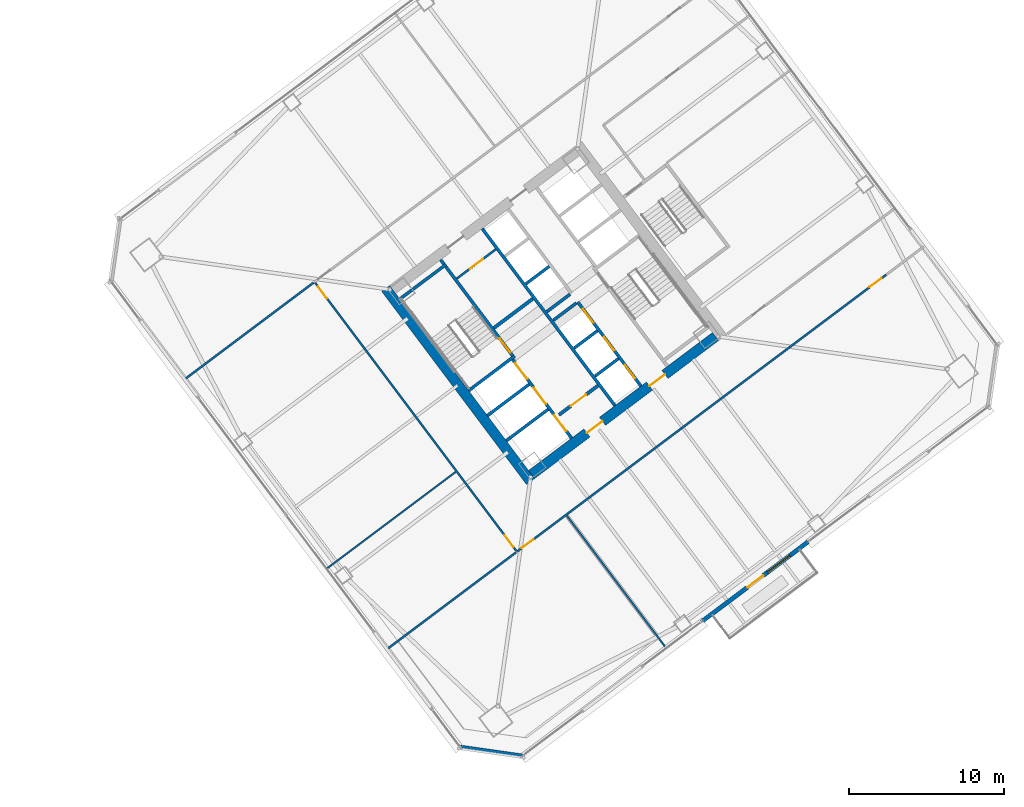
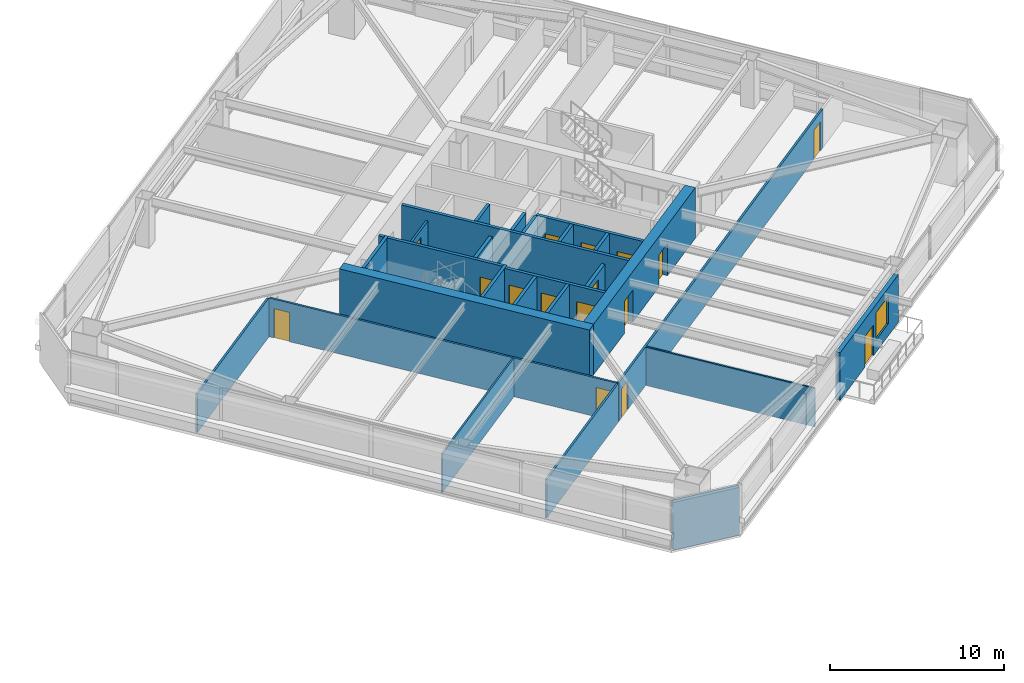
# One storey, part 41 of 51: 26 walls, 16 doors, 1 window, 17 openings.
"""IFC4 building model written with IfcOpenShell, lengths in metres."""

from ifc_helpers import new_model, si_unit, direction, frame, frame_2d, origin, place, context, subcontext, project, spatial, rectangle, extrude, material, layer, layer_set, type_object, element, fill, save


model = new_model("IFC4")

# Units and contexts
model_context = context("Model", 3, precision=1e-05, world=origin(), true_north=direction((0.0, 1.0)))
body_context = subcontext(model_context, "Body", "Model", "MODEL_VIEW")
ifc_project = project(units=[si_unit("LENGTHUNIT", "METRE"), si_unit("AREAUNIT", "SQUARE_METRE"), si_unit("VOLUMEUNIT", "CUBIC_METRE"), si_unit("PLANEANGLEUNIT", "RADIAN"), si_unit("MASSUNIT", "GRAM", prefix="KILO")], contexts=[model_context])

# Site, building, storey
site_placement = place(None, origin())
site = spatial("IfcSite", under=ifc_project, at=site_placement, CompositionType="ELEMENT")
building_placement = place(site_placement, origin())
building = spatial("IfcBuilding", under=site, at=building_placement, Name="Tashvorn Skyway Center", CompositionType="ELEMENT")
storey_placement = place(building_placement, frame((0.0, 0.0, 49.449951171875)))
storey = spatial("IfcBuildingStorey", under=building, at=storey_placement, Name="L12", CompositionType="ELEMENT", Elevation=49.449951171875)

# Wall
ifc_material_1 = material(Name="Concrete C60/75", Category="concrete")
ifc_layer_1 = layer(ifc_material_1, 0.64990234375)
ifc_layer_set_1 = layer_set([ifc_layer_1], Name="Concrete C60/75")
wall_type_1 = type_object("IfcWallType", Name="WALL-CORE-650", PredefinedType="SHEAR", material=ifc_layer_set_1)
wall_1_placement = place(storey_placement, frame((112.47607421875, 21.10693359375, 0.0), z_axis=(0.0, 0.0, 1.0), x_axis=(-0.600005007985, 0.799996243986, 0.0)))
element("IfcWall", 1, at=wall_1_placement, inside=storey, type_object=wall_type_1, Name="Tower 2 L12 West Core Shear Wall", PredefinedType="SHEAR", context=body_context, shape_type="SweptSolid", body=[
    extrude(rectangle(XDim=15.60009765625, YDim=0.64990234375, at=frame_2d((7.800048828125, 0.0))), origin(), (0.0, 0.0, 1.0), 3.550048828125),
])

# Wall, openings, doors
wall_2_placement = place(storey_placement, frame((124.428955078125, 30.47802734375, 0.0), z_axis=(0.0, 0.0, 1.0), x_axis=(-0.799998028465, -0.600002628705, 0.0)))
wall_2 = element("IfcWall", 2, at=wall_2_placement, inside=storey, type_object=wall_type_1, Name="Tower 2 L12 South Core Shear Wall", PredefinedType="SHEAR", context=body_context, shape_type="SweptSolid", body=[
    extrude(rectangle(XDim=14.85986328125, YDim=0.64990234375, at=frame_2d((7.429931640625, 0.0))), origin(), (0.0, 0.0, 1.0), 3.550048828125),
])
opening_1_placement = place(wall_2_placement, frame((9.1298828125, 0.0, 0.0)))
opening_1 = element("IfcOpeningElement", 3, at=opening_1_placement, cuts=wall_2, Name="Opening D-FFL-1250", PredefinedType="OPENING", context=body_context, shape_type="SweptSolid", body=[
    extrude(rectangle(XDim=1.25, YDim=2.25, at=frame_2d((0.625, 1.125))), frame((0.0, 0.3349609375, 0.0), z_axis=(0.0, -1.0, 0.0), x_axis=(1.0, 0.0, 0.0)), (0.0, 0.0, 1.0), 0.669921875),
])
opening_2_placement = place(wall_2_placement, frame((4.080078125, 0.0, 0.0)))
opening_2 = element("IfcOpeningElement", 4, at=opening_2_placement, cuts=wall_2, Name="Opening D-FFL-1250", PredefinedType="OPENING", context=body_context, shape_type="SweptSolid", body=[
    extrude(rectangle(XDim=1.25, YDim=2.25, at=frame_2d((0.625, 1.125))), frame((0.0, 0.3349609375, 0.0), z_axis=(0.0, -1.0, 0.0), x_axis=(1.0, 0.0, 0.0)), (0.0, 0.0, 1.0), 0.669921875),
])
ifc_material_2 = material(Name="Hollow galvanized steel fire door assembly", Category="steel")
door_type_1 = type_object("IfcDoorType", Name="DOOR-FFL-1250", OperationType="NOTDEFINED", PredefinedType="DOOR", material=ifc_material_2)
door_1_placement = place(opening_1_placement, origin())
door_1 = element("IfcDoor", 5, at=door_1_placement, inside=storey, type_object=door_type_1, Name="Tower 2 L12 Core South Firefighting Exit Door", OperationType="SINGLE_SWING_LEFT", OverallHeight=2.25, OverallWidth=1.25, PredefinedType="DOOR", context=body_context, shape_type="SweptSolid", body=[
    extrude(rectangle(XDim=1.25, YDim=2.25, at=frame_2d((0.625, 1.125))), frame((0.0, 0.02490234375, 0.0), z_axis=(0.0, -1.0, 0.0), x_axis=(1.0, 0.0, 0.0)), (0.0, 0.0, 1.0), 0.050048828125),
])
fill(opening_1, door_1)
door_2_placement = place(opening_2_placement, origin())
door_2 = element("IfcDoor", 6, at=door_2_placement, inside=storey, type_object=door_type_1, Name="Tower 2 L12 Core South Lift Lobby Door", OperationType="SINGLE_SWING_RIGHT", OverallHeight=2.25, OverallWidth=1.25, PredefinedType="DOOR", context=body_context, shape_type="SweptSolid", body=[
    extrude(rectangle(XDim=1.25, YDim=2.25, at=frame_2d((0.625, 1.125))), frame((0.0, 0.02490234375, 0.0), z_axis=(0.0, -1.0, 0.0), x_axis=(1.0, 0.0, 0.0)), (0.0, 0.0, 1.0), 0.050048828125),
])
fill(opening_2, door_2)

# Wall, openings, door, window
ifc_material_3 = material(Name="Precast concrete C40/50", Category="concrete")
ifc_layer_2 = layer(ifc_material_3, 0.280029296875)
ifc_layer_set_2 = layer_set([ifc_layer_2], Name="Precast concrete C40/50")
wall_type_2 = type_object("IfcWallType", Name="WALL-EXT-280", PredefinedType="SOLIDWALL", material=ifc_layer_set_2)
wall_3_placement = place(storey_placement, frame((130.407958984375, 17.2060546875, 0.0), z_axis=(0.0, 0.0, 1.0), x_axis=(-0.799996553335, -0.600004595526, 0.0)))
wall_3 = element("IfcWall", 7, at=wall_3_placement, inside=storey, type_object=wall_type_2, Name="Tower 2 L12 South Terrace Portal Wall", PredefinedType="SOLIDWALL", context=body_context, shape_type="SweptSolid", body=[
    extrude(rectangle(XDim=8.5, YDim=0.280029296875, at=frame_2d((4.25, 0.0))), origin(), (0.0, 0.0, 1.0), 3.35009765625),
])
opening_3_placement = place(wall_3_placement, frame((3.60009765625, 0.0, 0.0)))
opening_3 = element("IfcOpeningElement", 8, at=opening_3_placement, cuts=wall_3, Name="Opening D-TER-1300", PredefinedType="OPENING", context=body_context, shape_type="SweptSolid", body=[
    extrude(rectangle(XDim=1.300048828125, YDim=2.14990234375, at=frame_2d((0.64990234375, 1.074951171875))), frame((0.0, 0.14990234375, 0.0), z_axis=(0.0, -1.0, 0.0), x_axis=(1.0, 0.0, 0.0)), (0.0, 0.0, 1.0), 0.300048828125),
])
opening_4_placement = place(wall_3_placement, frame((1.4599609375, 0.0, 0.85009765625)))
opening_4 = element("IfcOpeningElement", 9, at=opening_4_placement, cuts=wall_3, Name="Opening WIN-1800", PredefinedType="OPENING", context=body_context, shape_type="SweptSolid", body=[
    extrude(rectangle(XDim=1.800048828125, YDim=1.919921875, at=frame_2d((0.89990234375, 0.9599609375))), frame((0.0, 0.14990234375, 0.0), z_axis=(0.0, -1.0, 0.0), x_axis=(1.0, 0.0, 0.0)), (0.0, 0.0, 1.0), 0.300048828125),
])
ifc_material_4 = material(Name="Thermally broken bronze-anodized aluminium 6063-T6", Category="aluminium")
door_type_2 = type_object("IfcDoorType", Name="DOOR-TERR-1300", OperationType="NOTDEFINED", PredefinedType="DOOR", material=ifc_material_4)
door_3_placement = place(opening_3_placement, origin())
door_3 = element("IfcDoor", 10, at=door_3_placement, inside=storey, type_object=door_type_2, Name="Tower 2 L12 Terrace Access Door", OperationType="SINGLE_SWING_LEFT", OverallHeight=2.14990234375, OverallWidth=1.300048828125, PredefinedType="DOOR", context=body_context, shape_type="SweptSolid", body=[
    extrude(rectangle(XDim=1.300048828125, YDim=2.14990234375, at=frame_2d((0.64990234375, 1.074951171875))), frame((0.0, 0.02490234375, 0.0), z_axis=(0.0, -1.0, 0.0), x_axis=(1.0, 0.0, 0.0)), (0.0, 0.0, 1.0), 0.050048828125),
])
fill(opening_3, door_3)
ifc_material_5 = material(Name="Low-E solar-control double insulating safety glass", Category="glass")
window_type = type_object("IfcWindowType", Name="WIN-TERR-1800", PartitioningType="SINGLE_PANEL", PredefinedType="WINDOW", material=ifc_material_5)
window_placement = place(opening_4_placement, origin())
window = element("IfcWindow", 11, at=window_placement, inside=storey, type_object=window_type, Name="Tower 2 L12 Terrace Window", OverallHeight=1.919921875, OverallWidth=1.800048828125, PartitioningType="SINGLE_PANEL", PredefinedType="WINDOW", context=body_context, shape_type="SweptSolid", body=[
    extrude(rectangle(XDim=1.800048828125, YDim=1.919921875, at=frame_2d((0.89990234375, 0.9599609375))), frame((0.0, 0.030029296875, 0.0), z_axis=(0.0, -1.0, 0.0), x_axis=(1.0, 0.0, 0.0)), (0.0, 0.0, 1.0), 0.06005859375),
])
fill(opening_4, window)

# Walls
wall_4_placement = place(storey_placement, frame((111.97998046875, 3.360107421875, 0.0), z_axis=(0.0, 0.0, 1.0), x_axis=(-0.989955445613, 0.14137968631, 0.0)))
element("IfcWall", 12, at=wall_4_placement, inside=storey, type_object=wall_type_2, Name="Tower 2 L12 SW Precast Chamfer Wall", PredefinedType="SOLIDWALL", context=body_context, shape_type="SweptSolid", body=[
    extrude(rectangle(XDim=4.101318359375, YDim=0.280029296875, at=frame_2d((2.05078125, 0.0))), origin(), (0.0, 0.0, 1.0), 3.35009765625),
])
ifc_material_6 = material(Name="Concrete C40/50", Category="concrete")
ifc_layer_3 = layer(ifc_material_6, 0.219970703125)
ifc_layer_set_3 = layer_set([ifc_layer_3], Name="Concrete C40/50")
wall_type_3 = type_object("IfcWallType", Name="WALL-FFL-220", PredefinedType="SOLIDWALL", material=ifc_layer_set_3)
wall_5_placement = place(storey_placement, frame((110.10400390625, 31.028076171875, 0.0), z_axis=(0.0, 0.0, 1.0), x_axis=(0.800018601094, 0.59997519774, 0.0)))
element("IfcWall", 13, at=wall_5_placement, inside=storey, type_object=wall_type_3, Name="Tower 2 L12 Firefighting Lobby North Wall", PredefinedType="SOLIDWALL", context=body_context, shape_type="SweptSolid", body=[
    extrude(rectangle(XDim=3.14990234375, YDim=0.219970703125, at=frame_2d((1.574951171875, 0.0))), origin(), (0.0, 0.0, 1.0), 2.703125),
])

# Wall, opening, door
wall_6_placement = place(storey_placement, frame((114.31591796875, 25.412109375, 0.0), z_axis=(0.0, 0.0, 1.0), x_axis=(0.800018601094, 0.59997519774, 0.0)))
wall_6 = element("IfcWall", 14, at=wall_6_placement, inside=storey, type_object=wall_type_3, Name="Tower 2 L12 Firefighting Lobby South Wall", PredefinedType="SOLIDWALL", context=body_context, shape_type="SweptSolid", body=[
    extrude(rectangle(XDim=3.14990234375, YDim=0.219970703125, at=frame_2d((1.574951171875, 0.0))), origin(), (0.0, 0.0, 1.0), 2.703125),
])
opening_5_placement = place(wall_6_placement, frame((0.949951171875, 0.0, 0.0)))
opening_5 = element("IfcOpeningElement", 15, at=opening_5_placement, cuts=wall_6, Name="Opening D-FFL-1250", PredefinedType="OPENING", context=body_context, shape_type="SweptSolid", body=[
    extrude(rectangle(XDim=1.25, YDim=2.25, at=frame_2d((0.625, 1.125))), frame((0.0, 0.119873046875, 0.0), z_axis=(0.0, -1.0, 0.0), x_axis=(1.0, 0.0, 0.0)), (0.0, 0.0, 1.0), 0.239990234375),
])
door_4_placement = place(opening_5_placement, origin())
door_4 = element("IfcDoor", 16, at=door_4_placement, inside=storey, type_object=door_type_1, Name="Tower 2 L12 Firefighting Lobby Egress Door", OperationType="SINGLE_SWING_LEFT", OverallHeight=2.25, OverallWidth=1.25, PredefinedType="DOOR", context=body_context, shape_type="SweptSolid", body=[
    extrude(rectangle(XDim=1.25, YDim=2.25, at=frame_2d((0.625, 1.125))), frame((0.0, 0.02490234375, 0.0), z_axis=(0.0, -1.0, 0.0), x_axis=(1.0, 0.0, 0.0)), (0.0, 0.0, 1.0), 0.050048828125),
])
fill(opening_5, door_4)

# Walls
ifc_material_7 = material(Name="Gypsum board on cold-formed steel stud framing", Category="steel")
ifc_layer_4 = layer(ifc_material_7, 0.110107421875)
ifc_layer_set_4 = layer_set([ifc_layer_4], Name="Gypsum board on cold-formed steel stud framing")
wall_type_4 = type_object("IfcWallType", Name="WALL-PART-110", PredefinedType="PARTITIONING", material=ifc_layer_set_4)
wall_7_placement = place(storey_placement, frame((121.157958984375, 10.4560546875, 0.0), z_axis=(0.0, 0.0, 1.0), x_axis=(-0.600007405188, 0.799994446056, 0.0)))
element("IfcWall", 17, at=wall_7_placement, inside=storey, type_object=wall_type_4, Name="Tower 2 L12 South Suite Partition 1", PredefinedType="PARTITIONING", context=body_context, shape_type="SweptSolid", body=[
    extrude(rectangle(XDim=10.550048828125, YDim=0.110107421875, at=frame_2d((5.27490234375, 0.0))), origin(), (0.0, 0.0, 1.0), 2.703125),
])
wall_8_placement = place(storey_placement, frame((99.2958984375, 15.471923828125, 0.0), z_axis=(0.0, 0.0, 1.0), x_axis=(0.799997188462, 0.600003748699, 0.0)))
element("IfcWall", 18, at=wall_8_placement, inside=storey, type_object=wall_type_4, Name="Tower 2 L12 West Suite Partition 1", PredefinedType="PARTITIONING", context=body_context, shape_type="SweptSolid", body=[
    extrude(rectangle(XDim=10.420166015625, YDim=0.110107421875, at=frame_2d((5.2099609375, 0.0))), origin(), (0.0, 0.0, 1.0), 2.703125),
])

# Wall, openings, doors
ifc_layer_5 = layer(ifc_material_7, 0.135009765625)
ifc_layer_set_5 = layer_set([ifc_layer_5], Name="Gypsum board on cold-formed steel stud framing")
wall_type_5 = type_object("IfcWallType", Name="WALL-PART-135", PredefinedType="PARTITIONING", material=ifc_layer_set_5)
wall_9_placement = place(storey_placement, frame((135.4599609375, 34.469970703125, 0.0), z_axis=(0.0, 0.0, 1.0), x_axis=(-0.800000982127, -0.599998690494, 0.0)))
wall_9 = element("IfcWall", 19, at=wall_9_placement, inside=storey, type_object=wall_type_5, Name="Tower 2 L12 South Suite Wall", PredefinedType="PARTITIONING", context=body_context, shape_type="SweptSolid", body=[
    extrude(rectangle(XDim=29.830078125, YDim=0.135009765625, at=frame_2d((14.9150390625, 0.0))), origin(), (0.0, 0.0, 1.0), 2.703125),
])
opening_6_placement = place(wall_9_placement, frame((28.5, 0.0, 0.0)))
opening_6 = element("IfcOpeningElement", 20, at=opening_6_placement, cuts=wall_9, Name="Opening D-INT-950", PredefinedType="OPENING", context=body_context, shape_type="SweptSolid", body=[
    extrude(rectangle(XDim=0.949951171875, YDim=2.050048828125, at=frame_2d((0.47509765625, 1.02490234375))), frame((0.0, 0.077392578125, 0.0), z_axis=(0.0, -1.0, 0.0), x_axis=(1.0, 0.0, 0.0)), (0.0, 0.0, 1.0), 0.155029296875),
])
opening_7_placement = place(wall_9_placement, frame((0.3798828125, 0.0, 0.0)))
opening_7 = element("IfcOpeningElement", 21, at=opening_7_placement, cuts=wall_9, Name="Opening D-INT-950", PredefinedType="OPENING", context=body_context, shape_type="SweptSolid", body=[
    extrude(rectangle(XDim=0.949951171875, YDim=2.050048828125, at=frame_2d((0.47509765625, 1.02490234375))), frame((0.0, 0.077392578125, 0.0), z_axis=(0.0, -1.0, 0.0), x_axis=(1.0, 0.0, 0.0)), (0.0, 0.0, 1.0), 0.155029296875),
])
ifc_material_8 = material(Name="Solid-core architectural oak veneer door")
door_type_3 = type_object("IfcDoorType", Name="DOOR-INT-950", OperationType="NOTDEFINED", PredefinedType="DOOR", material=ifc_material_8)
door_5_placement = place(opening_6_placement, origin())
door_5 = element("IfcDoor", 22, at=door_5_placement, inside=storey, type_object=door_type_3, Name="Tower 2 L12 Wellness Clinic Door", OperationType="SINGLE_SWING_RIGHT", OverallHeight=2.050048828125, OverallWidth=0.949951171875, PredefinedType="DOOR", context=body_context, shape_type="SweptSolid", body=[
    extrude(rectangle(XDim=0.949951171875, YDim=2.050048828125, at=frame_2d((0.47509765625, 1.02490234375))), frame((0.0, 0.02490234375, 0.0), z_axis=(0.0, -1.0, 0.0), x_axis=(1.0, 0.0, 0.0)), (0.0, 0.0, 1.0), 0.050048828125),
])
fill(opening_6, door_5)
door_6_placement = place(opening_7_placement, origin())
door_6 = element("IfcDoor", 23, at=door_6_placement, inside=storey, type_object=door_type_3, Name="Tower 2 L12 Security Control Room Door", OperationType="SINGLE_SWING_LEFT", OverallHeight=2.050048828125, OverallWidth=0.949951171875, PredefinedType="DOOR", context=body_context, shape_type="SweptSolid", body=[
    extrude(rectangle(XDim=0.949951171875, YDim=2.050048828125, at=frame_2d((0.47509765625, 1.02490234375))), frame((0.0, 0.02490234375, 0.0), z_axis=(0.0, -1.0, 0.0), x_axis=(1.0, 0.0, 0.0)), (0.0, 0.0, 1.0), 0.050048828125),
])
fill(opening_7, door_6)

wall_10_placement = place(storey_placement, frame((111.548095703125, 16.635986328125, 0.0), z_axis=(0.0, 0.0, 1.0), x_axis=(-0.600003610192, 0.799997292343, 0.0)))
wall_10 = element("IfcWall", 24, at=wall_10_placement, inside=storey, type_object=wall_type_5, Name="Tower 2 L12 West Inner Suite Wall", PredefinedType="PARTITIONING", context=body_context, shape_type="SweptSolid", body=[
    extrude(rectangle(XDim=21.64013671875, YDim=0.135009765625, at=frame_2d((10.820068359375, 0.0))), origin(), (0.0, 0.0, 1.0), 2.703125),
])
opening_8_placement = place(wall_10_placement, frame((0.300048828125, 0.0, 0.0)))
opening_8 = element("IfcOpeningElement", 25, at=opening_8_placement, cuts=wall_10, Name="Opening D-INT-950", PredefinedType="OPENING", context=body_context, shape_type="SweptSolid", body=[
    extrude(rectangle(XDim=0.949951171875, YDim=2.050048828125, at=frame_2d((0.47509765625, 1.02490234375))), frame((0.0, 0.077392578125, 0.0), z_axis=(0.0, -1.0, 0.0), x_axis=(1.0, 0.0, 0.0)), (0.0, 0.0, 1.0), 0.155029296875),
])
opening_9_placement = place(wall_10_placement, frame((20.389892578125, 0.0, 0.0)))
opening_9 = element("IfcOpeningElement", 26, at=opening_9_placement, cuts=wall_10, Name="Opening D-INT-950", PredefinedType="OPENING", context=body_context, shape_type="SweptSolid", body=[
    extrude(rectangle(XDim=0.949951171875, YDim=2.050048828125, at=frame_2d((0.47509765625, 1.02490234375))), frame((0.0, 0.077392578125, 0.0), z_axis=(0.0, -1.0, 0.0), x_axis=(1.0, 0.0, 0.0)), (0.0, 0.0, 1.0), 0.155029296875),
])
door_7_placement = place(opening_8_placement, origin())
door_7 = element("IfcDoor", 27, at=door_7_placement, inside=storey, type_object=door_type_3, Name="Tower 2 L12 Corporate Office Door", OperationType="SINGLE_SWING_RIGHT", OverallHeight=2.050048828125, OverallWidth=0.949951171875, PredefinedType="DOOR", context=body_context, shape_type="SweptSolid", body=[
    extrude(rectangle(XDim=0.949951171875, YDim=2.050048828125, at=frame_2d((0.47509765625, 1.02490234375))), frame((0.0, 0.02490234375, 0.0), z_axis=(0.0, -1.0, 0.0), x_axis=(1.0, 0.0, 0.0)), (0.0, 0.0, 1.0), 0.050048828125),
])
fill(opening_8, door_7)
door_8_placement = place(opening_9_placement, origin())
door_8 = element("IfcDoor", 28, at=door_8_placement, inside=storey, type_object=door_type_3, Name="Tower 2 L12 Wellness Clinic Door", OperationType="SINGLE_SWING_LEFT", OverallHeight=2.050048828125, OverallWidth=0.949951171875, PredefinedType="DOOR", context=body_context, shape_type="SweptSolid", body=[
    extrude(rectangle(XDim=0.949951171875, YDim=2.050048828125, at=frame_2d((0.47509765625, 1.02490234375))), frame((0.0, 0.02490234375, 0.0), z_axis=(0.0, -1.0, 0.0), x_axis=(1.0, 0.0, 0.0)), (0.0, 0.0, 1.0), 0.050048828125),
])
fill(opening_9, door_8)

# Walls
wall_11_placement = place(storey_placement, frame((98.451904296875, 33.964111328125, 0.0), z_axis=(0.0, 0.0, 1.0), x_axis=(-0.799988753532, -0.600014994998, 0.0)))
element("IfcWall", 29, at=wall_11_placement, inside=storey, type_object=wall_type_5, Name="Tower 2 L12 West Suite North Wall", PredefinedType="PARTITIONING", context=body_context, shape_type="SweptSolid", body=[
    extrude(rectangle(XDim=10.420166015625, YDim=0.135009765625, at=frame_2d((5.2099609375, 0.0))), origin(), (0.0, 0.0, 1.0), 2.703125),
])
wall_12_placement = place(storey_placement, frame((103.196044921875, 10.27197265625, 0.0), z_axis=(0.0, 0.0, 1.0), x_axis=(0.8, 0.6, 0.0)))
element("IfcWall", 30, at=wall_12_placement, inside=storey, type_object=wall_type_5, Name="Tower 2 L12 West Suite South Wall", PredefinedType="PARTITIONING", context=body_context, shape_type="SweptSolid", body=[
    extrude(rectangle(XDim=10.419921875, YDim=0.135009765625, at=frame_2d((5.2099609375, 0.0))), origin(), (0.0, 0.0, 1.0), 2.703125),
])

# Wall, opening, door
ifc_layer_6 = layer(ifc_material_7, 0.135009765625)
ifc_layer_set_6 = layer_set([ifc_layer_6], Name="Gypsum board on cold-formed steel stud framing")
wall_type_6 = type_object("IfcWallType", Name="WALL-RATED-135", PredefinedType="PARTITIONING", material=ifc_layer_set_6)
wall_13_placement = place(storey_placement, frame((107.7099609375, 34.219970703125, 0.0), z_axis=(0.0, 0.0, 1.0), x_axis=(0.799981399002, 0.60002480053, 0.0)))
wall_13 = element("IfcWall", 31, at=wall_13_placement, inside=storey, type_object=wall_type_6, Name="Tower 2 L12 Core Service Lobby Wall", PredefinedType="PARTITIONING", context=body_context, shape_type="SweptSolid", body=[
    extrude(rectangle(XDim=3.150146484375, YDim=0.135009765625, at=frame_2d((1.5751953125, 0.0))), origin(), (0.0, 0.0, 1.0), 2.703125),
])
opening_10_placement = place(wall_13_placement, frame((1.050048828125, 0.0, 0.0)))
opening_10 = element("IfcOpeningElement", 32, at=opening_10_placement, cuts=wall_13, Name="Opening D-RT-1050", PredefinedType="OPENING", context=body_context, shape_type="SweptSolid", body=[
    extrude(rectangle(XDim=1.050048828125, YDim=2.199951171875, at=frame_2d((0.52490234375, 1.10009765625))), frame((0.0, 0.077392578125, 0.0), z_axis=(0.0, -1.0, 0.0), x_axis=(1.0, 0.0, 0.0)), (0.0, 0.0, 1.0), 0.155029296875),
])
door_type_4 = type_object("IfcDoorType", Name="DOOR-RATED-1050", OperationType="NOTDEFINED", PredefinedType="DOOR", material=ifc_material_2)
door_9_placement = place(opening_10_placement, origin())
door_9 = element("IfcDoor", 33, at=door_9_placement, inside=storey, type_object=door_type_4, Name="Tower 2 L12 Core Accessible WC Door", OperationType="SINGLE_SWING_LEFT", OverallHeight=2.199951171875, OverallWidth=1.050048828125, PredefinedType="DOOR", context=body_context, shape_type="SweptSolid", body=[
    extrude(rectangle(XDim=1.050048828125, YDim=2.199951171875, at=frame_2d((0.52490234375, 1.10009765625))), frame((0.0, 0.02490234375, 0.0), z_axis=(0.0, -1.0, 0.0), x_axis=(1.0, 0.0, 0.0)), (0.0, 0.0, 1.0), 0.050048828125),
])
fill(opening_10, door_9)

# Walls
ifc_layer_7 = layer(ifc_material_6, 0.199951171875)
ifc_layer_set_7 = layer_set([ifc_layer_7], Name="Concrete C40/50")
wall_type_7 = type_object("IfcWallType", Name="WALL-SHAFT-200", PredefinedType="SOLIDWALL", material=ifc_layer_set_7)
for number, where, z_axis, x_axis, name in (
    (34, (110.906005859375, 23.741943359375, 0.0), (0.0, 0.0, 1.0), (0.8, 0.6, 0.0), "Tower 2 L12 FSAE Shaft Divider"),
    (35, (109.68798828125, 25.365966796875, 0.0), (0.0, 0.0, 1.0), (0.8, 0.6, 0.0), "Tower 2 L12 FSAE Shaft Divider"),
):
    element("IfcWall", number, at=place(storey_placement, frame(where, z_axis=z_axis, x_axis=x_axis)), inside=storey, type_object=wall_type_7, Name=name, PredefinedType="SOLIDWALL", context=body_context, shape_type="SweptSolid", body=[
        extrude(rectangle(XDim=3.380126953125, YDim=0.199951171875, at=frame_2d((1.68994140625, 0.0))), origin(), (0.0, 0.0, 1.0), 3.35009765625),
    ])

# Wall, openings, doors
wall_14_placement = place(storey_placement, frame((119.610107421875, 27.27001953125, 0.0), z_axis=(0.0, 0.0, 1.0), x_axis=(-0.600011488909, 0.79999138319, 0.0)))
wall_14 = element("IfcWall", 36, at=wall_14_placement, inside=storey, type_object=wall_type_7, Name="Tower 2 L12 Low-Rise Core Wall", PredefinedType="SOLIDWALL", context=body_context, shape_type="SweptSolid", body=[
    extrude(rectangle(XDim=6.800048828125, YDim=0.199951171875, at=frame_2d((3.39990234375, 0.0))), origin(), (0.0, 0.0, 1.0), 3.35009765625),
])
opening_11_placement = place(wall_14_placement, frame((0.625, 0.0, 0.0)))
opening_11 = element("IfcOpeningElement", 37, at=opening_11_placement, cuts=wall_14, Name="Opening LD-LR-T2-1-L12", PredefinedType="OPENING", context=body_context, shape_type="SweptSolid", body=[
    extrude(rectangle(XDim=1.10009765625, YDim=2.199951171875, at=frame_2d((0.550048828125, 1.10009765625))), frame((0.0, 0.10986328125, 0.0), z_axis=(0.0, -1.0, 0.0), x_axis=(1.0, 0.0, 0.0)), (0.0, 0.0, 1.0), 0.219970703125),
])
opening_12_placement = place(wall_14_placement, frame((2.875, 0.0, 0.0)))
opening_12 = element("IfcOpeningElement", 38, at=opening_12_placement, cuts=wall_14, Name="Opening LD-LR-T2-2-L12", PredefinedType="OPENING", context=body_context, shape_type="SweptSolid", body=[
    extrude(rectangle(XDim=1.10009765625, YDim=2.199951171875, at=frame_2d((0.550048828125, 1.10009765625))), frame((0.0, 0.10986328125, 0.0), z_axis=(0.0, -1.0, 0.0), x_axis=(1.0, 0.0, 0.0)), (0.0, 0.0, 1.0), 0.219970703125),
])
opening_13_placement = place(wall_14_placement, frame((5.125, 0.0, 0.0)))
opening_13 = element("IfcOpeningElement", 39, at=opening_13_placement, cuts=wall_14, Name="Opening LD-LR-T2-3-L12", PredefinedType="OPENING", context=body_context, shape_type="SweptSolid", body=[
    extrude(rectangle(XDim=1.10009765625, YDim=2.199951171875, at=frame_2d((0.550048828125, 1.10009765625))), frame((0.0, 0.10986328125, 0.0), z_axis=(0.0, -1.0, 0.0), x_axis=(1.0, 0.0, 0.0)), (0.0, 0.0, 1.0), 0.219970703125),
])
ifc_material_9 = material(Name="Stainless steel landing door", Category="steel")
door_type_5 = type_object("IfcDoorType", Name="DOOR-LIFT-1100", OperationType="SLIDING_TO_LEFT", PredefinedType="DOOR", material=ifc_material_9)
door_10_placement = place(opening_11_placement, origin())
door_10 = element("IfcDoor", 40, at=door_10_placement, inside=storey, type_object=door_type_5, Name="Lift LR-T2-1 L12 Landing Door", OperationType="SLIDING_TO_LEFT", OverallHeight=2.199951171875, OverallWidth=1.10009765625, PredefinedType="DOOR", context=body_context, shape_type="SweptSolid", body=[
    extrude(rectangle(XDim=1.10009765625, YDim=2.199951171875, at=frame_2d((0.550048828125, 1.10009765625))), frame((0.0, 0.02490234375, 0.0), z_axis=(0.0, -1.0, 0.0), x_axis=(1.0, 0.0, 0.0)), (0.0, 0.0, 1.0), 0.050048828125),
])
fill(opening_11, door_10)
door_11_placement = place(opening_12_placement, origin())
door_11 = element("IfcDoor", 41, at=door_11_placement, inside=storey, type_object=door_type_5, Name="Lift LR-T2-2 L12 Landing Door", OperationType="SLIDING_TO_LEFT", OverallHeight=2.199951171875, OverallWidth=1.10009765625, PredefinedType="DOOR", context=body_context, shape_type="SweptSolid", body=[
    extrude(rectangle(XDim=1.10009765625, YDim=2.199951171875, at=frame_2d((0.550048828125, 1.10009765625))), frame((0.0, 0.02490234375, 0.0), z_axis=(0.0, -1.0, 0.0), x_axis=(1.0, 0.0, 0.0)), (0.0, 0.0, 1.0), 0.050048828125),
])
fill(opening_12, door_11)
door_12_placement = place(opening_13_placement, origin())
door_12 = element("IfcDoor", 42, at=door_12_placement, inside=storey, type_object=door_type_5, Name="Lift LR-T2-3 L12 Landing Door", OperationType="SLIDING_TO_LEFT", OverallHeight=2.199951171875, OverallWidth=1.10009765625, PredefinedType="DOOR", context=body_context, shape_type="SweptSolid", body=[
    extrude(rectangle(XDim=1.10009765625, YDim=2.199951171875, at=frame_2d((0.550048828125, 1.10009765625))), frame((0.0, 0.02490234375, 0.0), z_axis=(0.0, -1.0, 0.0), x_axis=(1.0, 0.0, 0.0)), (0.0, 0.0, 1.0), 0.050048828125),
])
fill(opening_13, door_12)

# Walls
wall_15_placement = place(storey_placement, frame((116.64599609375, 27.922119140625, 0.0), z_axis=(0.0, 0.0, 1.0), x_axis=(0.8, 0.6, 0.0)))
element("IfcWall", 43, at=wall_15_placement, inside=storey, type_object=wall_type_7, Name="Tower 2 L12 Low-Rise Shaft Divider", PredefinedType="SOLIDWALL", context=body_context, shape_type="SweptSolid", body=[
    extrude(rectangle(XDim=1.8798828125, YDim=0.199951171875, at=frame_2d((0.93994140625, 0.0))), origin(), (0.0, 0.0, 1.0), 3.35009765625),
])
wall_16_placement = place(storey_placement, frame((115.2958984375, 29.721923828125, 0.0), z_axis=(0.0, 0.0, 1.0), x_axis=(0.799984418148, 0.600020775241, 0.0)))
element("IfcWall", 44, at=wall_16_placement, inside=storey, type_object=wall_type_7, Name="Tower 2 L12 Low-Rise Shaft Divider", PredefinedType="SOLIDWALL", context=body_context, shape_type="SweptSolid", body=[
    extrude(rectangle(XDim=1.880126953125, YDim=0.199951171875, at=frame_2d((0.93994140625, 0.0))), origin(), (0.0, 0.0, 1.0), 3.35009765625),
])
wall_17_placement = place(storey_placement, frame((113.946044921875, 31.52197265625, 0.0), z_axis=(0.0, 0.0, 1.0), x_axis=(0.8, 0.6, 0.0)))
element("IfcWall", 45, at=wall_17_placement, inside=storey, type_object=wall_type_7, Name="Tower 2 L12 Low-Rise Shaft Divider", PredefinedType="SOLIDWALL", context=body_context, shape_type="SweptSolid", body=[
    extrude(rectangle(XDim=1.8798828125, YDim=0.199951171875, at=frame_2d((0.93994140625, 0.0))), origin(), (0.0, 0.0, 1.0), 3.35009765625),
])
wall_18_placement = place(storey_placement, frame((113.52587890625, 32.08203125, 0.0), z_axis=(0.0, 0.0, 1.0), x_axis=(0.800046745961, 0.599937666993, 0.0)))
element("IfcWall", 46, at=wall_18_placement, inside=storey, type_object=wall_type_7, Name="Tower 2 L12 Mid-Rise Shaft Divider", PredefinedType="SOLIDWALL", context=body_context, shape_type="SweptSolid", body=[
    extrude(rectangle(XDim=1.880126953125, YDim=0.199951171875, at=frame_2d((0.93994140625, 0.0))), origin(), (0.0, 0.0, 1.0), 3.35009765625),
])
wall_19_placement = place(storey_placement, frame((112.176025390625, 33.882080078125, 0.0), z_axis=(0.0, 0.0, 1.0), x_axis=(0.8, 0.6, 0.0)))
element("IfcWall", 47, at=wall_19_placement, inside=storey, type_object=wall_type_7, Name="Tower 2 L12 Mid-Rise Shaft Divider", PredefinedType="SOLIDWALL", context=body_context, shape_type="SweptSolid", body=[
    extrude(rectangle(XDim=1.8798828125, YDim=0.199951171875, at=frame_2d((0.93994140625, 0.0))), origin(), (0.0, 0.0, 1.0), 3.35009765625),
])

# Wall, opening, door
ifc_layer_8 = layer(ifc_material_6, 0.199951171875)
ifc_layer_set_8 = layer_set([ifc_layer_8], Name="Concrete C40/50")
wall_type_8 = type_object("IfcWallType", Name="WALL-STSHF-200", PredefinedType="SHEAR", material=ifc_layer_set_8)
wall_20_placement = place(storey_placement, frame((111.43994140625, 29.080078125, 0.0), z_axis=(0.0, 0.0, 1.0), x_axis=(-0.600009827119, 0.799992629566, 0.0)))
wall_20 = element("IfcWall", 48, at=wall_20_placement, inside=storey, type_object=wall_type_8, Name="Tower 2 L12 Stair 1 Enclosure Wall", PredefinedType="SHEAR", context=body_context, shape_type="SweptSolid", body=[
    extrude(rectangle(XDim=7.949951171875, YDim=0.199951171875, at=frame_2d((3.97509765625, 0.0))), origin(), (0.0, 0.0, 1.0), 3.35009765625),
])
opening_14_placement = place(wall_20_placement, frame((0.449951171875, 0.0, 0.0)))
opening_14 = element("IfcOpeningElement", 49, at=opening_14_placement, cuts=wall_20, Name="Opening D-ST-1150", PredefinedType="OPENING", context=body_context, shape_type="SweptSolid", body=[
    extrude(rectangle(XDim=1.14990234375, YDim=2.199951171875, at=frame_2d((0.574951171875, 1.10009765625))), frame((0.0, 0.10986328125, 0.0), z_axis=(0.0, -1.0, 0.0), x_axis=(1.0, 0.0, 0.0)), (0.0, 0.0, 1.0), 0.219970703125),
])
door_type_6 = type_object("IfcDoorType", Name="DOOR-STAIR-1150", OperationType="NOTDEFINED", PredefinedType="DOOR", material=ifc_material_2)
door_13_placement = place(opening_14_placement, origin())
door_13 = element("IfcDoor", 50, at=door_13_placement, inside=storey, type_object=door_type_6, Name="Tower 2 L12 Exit Stair 1 Door", OperationType="SINGLE_SWING_RIGHT", OverallHeight=2.199951171875, OverallWidth=1.14990234375, PredefinedType="DOOR", context=body_context, shape_type="SweptSolid", body=[
    extrude(rectangle(XDim=1.14990234375, YDim=2.199951171875, at=frame_2d((0.574951171875, 1.10009765625))), frame((0.0, 0.02490234375, 0.0), z_axis=(0.0, -1.0, 0.0), x_axis=(1.0, 0.0, 0.0)), (0.0, 0.0, 1.0), 0.050048828125),
])
fill(opening_14, door_13)

# Walls
for number, where, z_axis, x_axis, name in (
    (51, (108.47607421875, 26.98193359375, 0.0), (0.0, 0.0, 1.0), (0.799984290658, 0.600020945218, 0.0), "Tower 2 L12 Stair 1 South Wall"),
    (52, (104.035888671875, 32.902099609375, 0.0), (0.0, 0.0, 1.0), (0.800039270442, 0.59994763584, 0.0), "Tower 2 L12 Stair 1 North Wall"),
):
    element("IfcWall", number, at=place(storey_placement, frame(where, z_axis=z_axis, x_axis=x_axis)), inside=storey, type_object=wall_type_8, Name=name, PredefinedType="SHEAR", context=body_context, shape_type="SweptSolid", body=[
        extrude(rectangle(XDim=3.72998046875, YDim=0.199951171875, at=frame_2d((1.864990234375, 0.0))), origin(), (0.0, 0.0, 1.0), 3.35009765625),
    ])
wall_21_placement = place(storey_placement, frame((117.93798828125, 26.01611328125, 0.0), z_axis=(0.0, 0.0, 1.0), x_axis=(-0.600005463273, 0.799995902516, 0.0)))
element("IfcWall", 53, at=wall_21_placement, inside=storey, type_object=wall_type_8, Name="Tower 2 L12 Firefighting Lobby East Smoke Barrier", PredefinedType="SHEAR", context=body_context, shape_type="SweptSolid", body=[
    extrude(rectangle(XDim=14.300048828125, YDim=0.199951171875, at=frame_2d((7.14990234375, 0.0))), origin(), (0.0, 0.0, 1.0), 3.35009765625),
])

# Wall, openings, doors
wall_22_placement = place(storey_placement, frame((115.1298828125, 23.909912109375, 0.0), z_axis=(0.0, 0.0, 1.0), x_axis=(-0.599975393228, 0.800018454488, 0.0)))
wall_22 = element("IfcWall", 54, at=wall_22_placement, inside=storey, type_object=wall_type_8, Name="Tower 2 L12 FSAE and Goods Shaft Front Wall", PredefinedType="SHEAR", context=body_context, shape_type="SweptSolid", body=[
    extrude(rectangle(XDim=6.349853515625, YDim=0.199951171875, at=frame_2d((3.1748046875, 0.0))), origin(), (0.0, 0.0, 1.0), 3.35009765625),
])
opening_15_placement = place(wall_22_placement, frame((4.77490234375, 0.0, 0.0)))
opening_15 = element("IfcOpeningElement", 55, at=opening_15_placement, cuts=wall_22, Name="Opening LD-FF-T2-1-L12", PredefinedType="OPENING", context=body_context, shape_type="SweptSolid", body=[
    extrude(rectangle(XDim=1.300048828125, YDim=2.25, at=frame_2d((0.64990234375, 1.125))), frame((0.0, 0.10986328125, 0.0), z_axis=(0.0, -1.0, 0.0), x_axis=(1.0, 0.0, 0.0)), (0.0, 0.0, 1.0), 0.219970703125),
])
opening_16_placement = place(wall_22_placement, frame((2.77490234375, 0.0, 0.0)))
opening_16 = element("IfcOpeningElement", 56, at=opening_16_placement, cuts=wall_22, Name="Opening LD-FF-T2-2-L12", PredefinedType="OPENING", context=body_context, shape_type="SweptSolid", body=[
    extrude(rectangle(XDim=1.300048828125, YDim=2.25, at=frame_2d((0.64990234375, 1.125))), frame((0.0, 0.10986328125, 0.0), z_axis=(0.0, -1.0, 0.0), x_axis=(1.0, 0.0, 0.0)), (0.0, 0.0, 1.0), 0.219970703125),
])
opening_17_placement = place(wall_22_placement, frame((0.574951171875, 0.0, 0.0)))
opening_17 = element("IfcOpeningElement", 57, at=opening_17_placement, cuts=wall_22, Name="Opening LD-GD-T2-1-L12", PredefinedType="OPENING", context=body_context, shape_type="SweptSolid", body=[
    extrude(rectangle(XDim=1.300048828125, YDim=2.25, at=frame_2d((0.64990234375, 1.125))), frame((0.0, 0.10986328125, 0.0), z_axis=(0.0, -1.0, 0.0), x_axis=(1.0, 0.0, 0.0)), (0.0, 0.0, 1.0), 0.219970703125),
])
ifc_material_10 = material(Name="Stainless steel heavy-duty landing door", Category="steel")
door_type_7 = type_object("IfcDoorType", Name="DOOR-LIFT-1300", OperationType="SLIDING_TO_LEFT", PredefinedType="DOOR", material=ifc_material_10)
door_14_placement = place(opening_15_placement, origin())
door_14 = element("IfcDoor", 58, at=door_14_placement, inside=storey, type_object=door_type_7, Name="Lift FF-T2-1 L12 Landing Door", OperationType="SLIDING_TO_LEFT", OverallHeight=2.25, OverallWidth=1.300048828125, PredefinedType="DOOR", context=body_context, shape_type="SweptSolid", body=[
    extrude(rectangle(XDim=1.300048828125, YDim=2.25, at=frame_2d((0.64990234375, 1.125))), frame((0.0, 0.02490234375, 0.0), z_axis=(0.0, -1.0, 0.0), x_axis=(1.0, 0.0, 0.0)), (0.0, 0.0, 1.0), 0.050048828125),
])
fill(opening_15, door_14)
door_15_placement = place(opening_16_placement, origin())
door_15 = element("IfcDoor", 59, at=door_15_placement, inside=storey, type_object=door_type_7, Name="Lift FF-T2-2 L12 Landing Door", OperationType="SLIDING_TO_LEFT", OverallHeight=2.25, OverallWidth=1.300048828125, PredefinedType="DOOR", context=body_context, shape_type="SweptSolid", body=[
    extrude(rectangle(XDim=1.300048828125, YDim=2.25, at=frame_2d((0.64990234375, 1.125))), frame((0.0, 0.02490234375, 0.0), z_axis=(0.0, -1.0, 0.0), x_axis=(1.0, 0.0, 0.0)), (0.0, 0.0, 1.0), 0.050048828125),
])
fill(opening_16, door_15)
door_16_placement = place(opening_17_placement, origin())
door_16 = element("IfcDoor", 60, at=door_16_placement, inside=storey, type_object=door_type_7, Name="Lift GD-T2-1 L12 Landing Door", OperationType="SLIDING_TO_LEFT", OverallHeight=2.25, OverallWidth=1.300048828125, PredefinedType="DOOR", context=body_context, shape_type="SweptSolid", body=[
    extrude(rectangle(XDim=1.300048828125, YDim=2.25, at=frame_2d((0.64990234375, 1.125))), frame((0.0, 0.02490234375, 0.0), z_axis=(0.0, -1.0, 0.0), x_axis=(1.0, 0.0, 0.0)), (0.0, 0.0, 1.0), 0.050048828125),
])
fill(opening_17, door_16)

save(model, "model.ifc")
